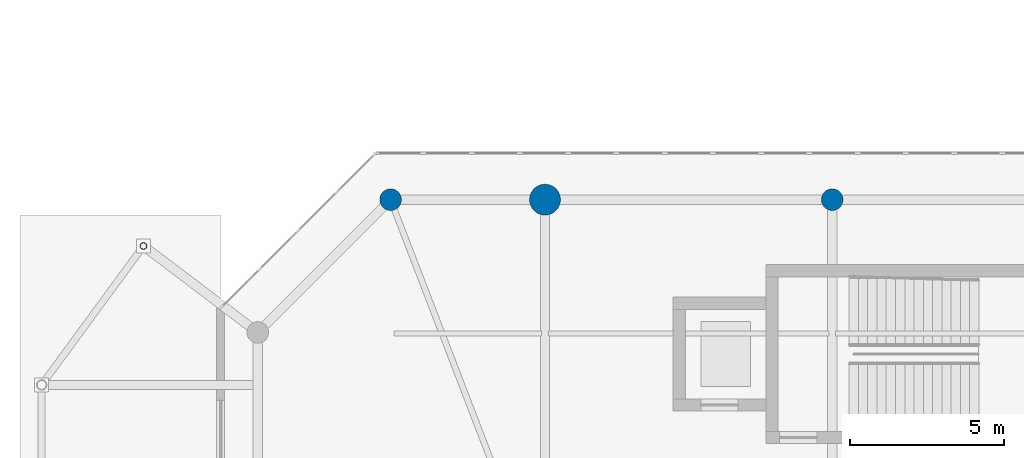
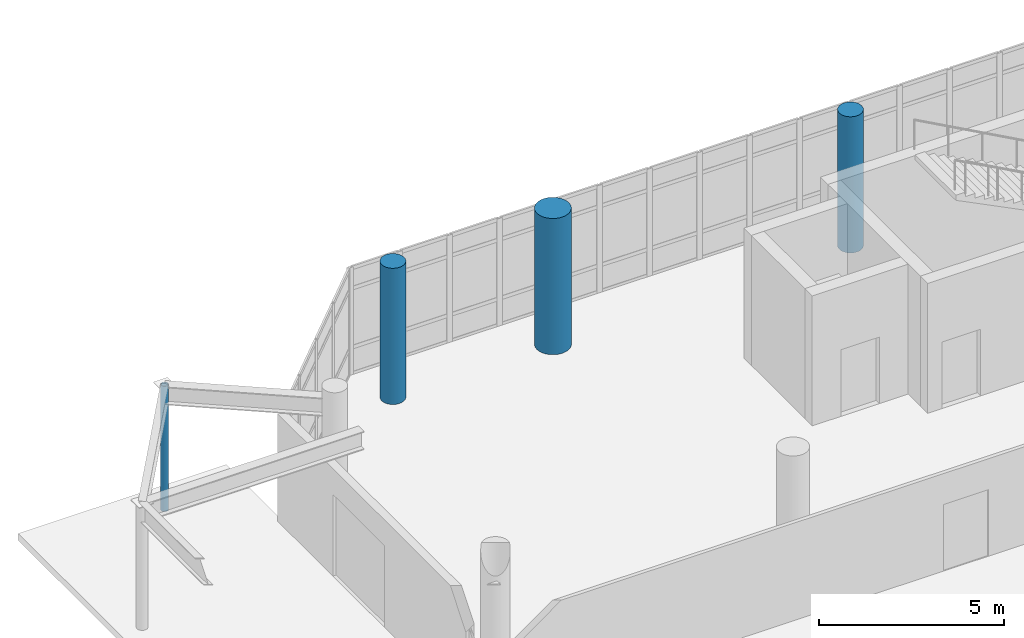
# One storey, part 13 of 122: 4 columns.
"""IFC4 building model written with IfcOpenShell, lengths in metres."""

from ifc_helpers import new_model, si_unit, direction, frame, origin, origin_2d, place, context, subcontext, project, spatial, circle, hollow_circle, extrude, material, material_profile, profile_set, type_object, element, save


model = new_model("IFC4")

# Units and contexts
model_context = context("Model", 3, precision=1e-05, world=origin(), true_north=direction((0.0, 1.0)))
body_context = subcontext(model_context, "Body", "Model", "MODEL_VIEW")
ifc_project = project(units=[si_unit("LENGTHUNIT", "METRE"), si_unit("AREAUNIT", "SQUARE_METRE"), si_unit("VOLUMEUNIT", "CUBIC_METRE"), si_unit("PLANEANGLEUNIT", "RADIAN"), si_unit("MASSUNIT", "GRAM", prefix="KILO")], contexts=[model_context])

# Site, building, storey
site_placement = place(None, origin())
site = spatial("IfcSite", under=ifc_project, at=site_placement, CompositionType="ELEMENT")
building_placement = place(site_placement, origin())
building = spatial("IfcBuilding", under=site, at=building_placement, Name="Sohan Crest Arena", CompositionType="ELEMENT")
storey_placement = place(building_placement, origin())
storey = spatial("IfcBuildingStorey", under=building, at=storey_placement, Name="L00", CompositionType="ELEMENT", Elevation=0.0)

# Columns
ifc_material_1 = material(Name="Concrete C40/50", Category="concrete")
ifc_material_profile_1 = material_profile(ifc_material_1, circle(Radius=0.35009765625, at=origin_2d()), Name="RC D700")
ifc_profile_set_1 = profile_set([ifc_material_profile_1], Name="Concrete C40/50")
column_type_1 = type_object("IfcColumnType", Name="STR-COL-C13", PredefinedType="COLUMN", material=ifc_profile_set_1)
for number, where, z_axis, x_axis, name in (
    (1, (33.800048828125, 104.5, 0.0), (0.0, 0.0, 1.0), (1.0, 0.0, 0.0), "Structural column COL-V3C-35-L00"),
    (2, (19.5, 104.5, 0.0), (0.0, 0.0, 1.0), (1.0, 0.0, 0.0), "Structural column COL-V3CH-4-L00"),
):
    element("IfcColumn", number, at=place(storey_placement, frame(where, z_axis=z_axis, x_axis=x_axis)), inside=storey, type_object=column_type_1, Name=name, PredefinedType="COLUMN", context=body_context, shape_type="SweptSolid", body=[
        extrude(circle(Radius=0.35009765625, at=origin_2d()), origin(), (0.0, 0.0, 1.0), 4.5),
    ])
ifc_material_profile_2 = material_profile(ifc_material_1, circle(Radius=0.5, at=origin_2d()), Name="RC D1000")
ifc_profile_set_2 = profile_set([ifc_material_profile_2], Name="Concrete C40/50")
column_type_2 = type_object("IfcColumnType", Name="STR-COL-C16", PredefinedType="COLUMN", material=ifc_profile_set_2)
column_1_placement = place(storey_placement, frame((24.5, 104.5, 0.0), z_axis=(0.0, 0.0, 1.0), x_axis=(1.0, 0.0, 0.0)))
element("IfcColumn", 3, at=column_1_placement, inside=storey, type_object=column_type_2, Name="Structural column COL-V3C-25-L00", PredefinedType="COLUMN", context=body_context, shape_type="SweptSolid", body=[
    extrude(circle(Radius=0.5, at=origin_2d()), origin(), (0.0, 0.0, 1.0), 4.5),
])
ifc_material_2 = material(Name="Steel S355", Category="steel")
ifc_material_profile_3 = material_profile(ifc_material_2, hollow_circle(Radius=0.109619140625, WallThickness=0.010009765625, at=origin_2d()), Name="CHS 219.1x10")
ifc_profile_set_3 = profile_set([ifc_material_profile_3], Name="Steel S355")
column_type_3 = type_object("IfcColumnType", Name="STR-COL-C24", PredefinedType="COLUMN", material=ifc_profile_set_3)
column_2_placement = place(storey_placement, frame((11.5, 103.0, 0.0), z_axis=(0.0, 0.0, 1.0), x_axis=(1.0, 0.0, 0.0)))
element("IfcColumn", 4, at=column_2_placement, inside=storey, type_object=column_type_3, Name="Structural column COL-V3P-06-L00", PredefinedType="COLUMN", context=body_context, shape_type="SweptSolid", body=[
    extrude(hollow_circle(Radius=0.109619140625, WallThickness=0.010009765625, at=origin_2d()), origin(), (0.0, 0.0, 1.0), 4.139892578125),
])

save(model, "model.ifc")
